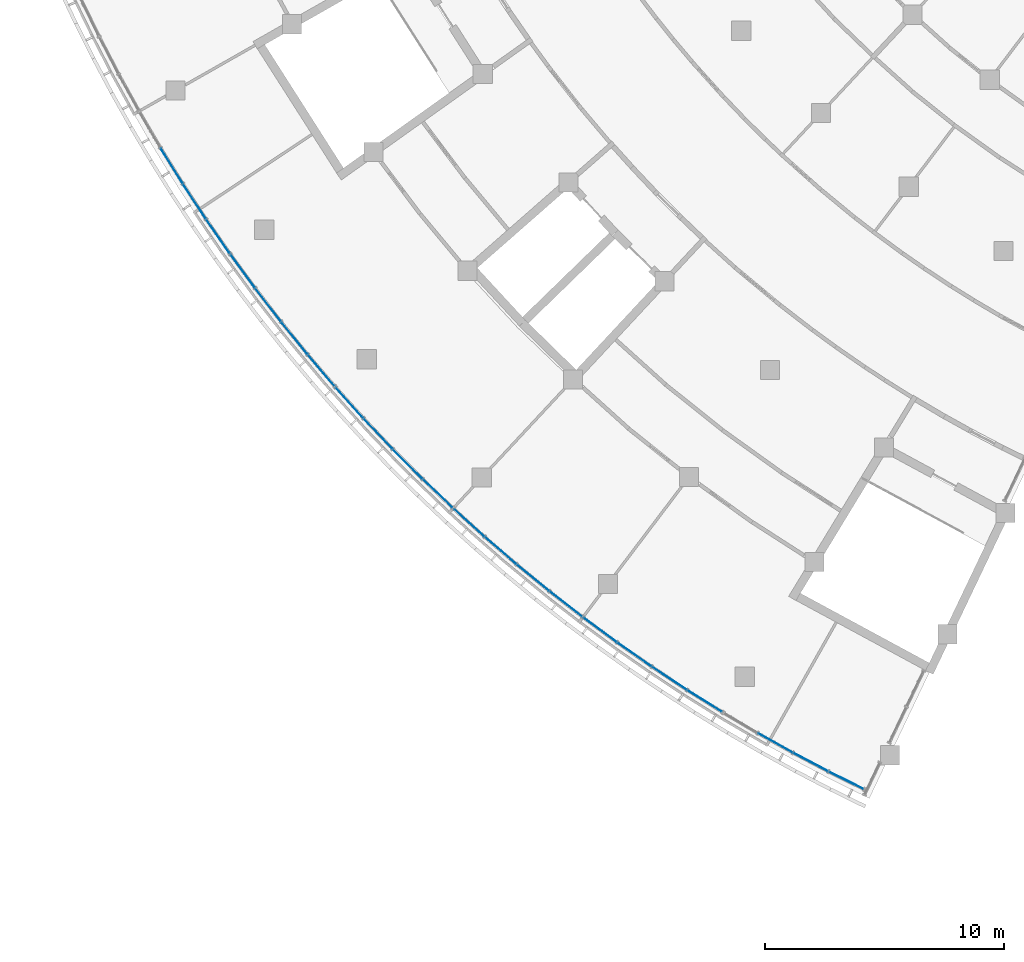
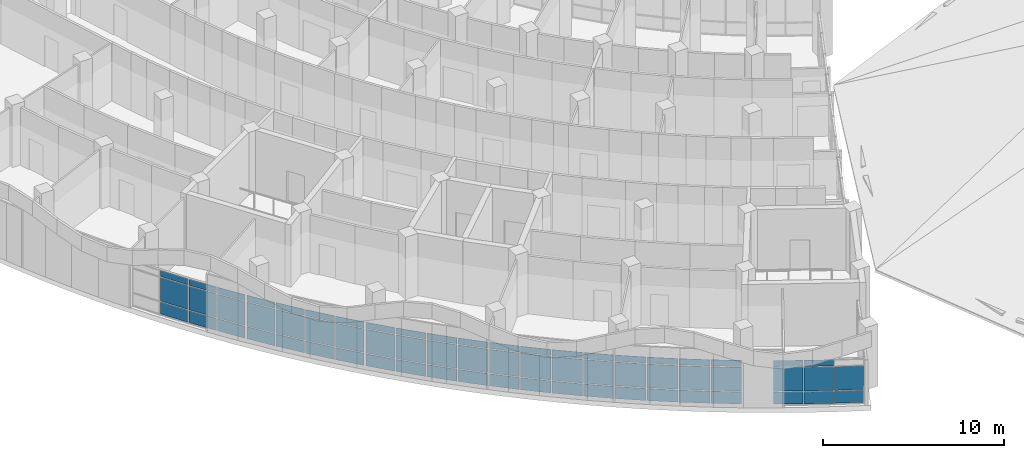
# One storey, part 47 of 137: 65 plates, 6 elements without a shape of their own.
"""IFC4 building model written with IfcOpenShell, lengths in metres."""

from ifc_helpers import new_model, si_unit, direction, frame, origin, origin_2d, place, context, subcontext, project, spatial, rectangle, extrude, material, layer, layer_set, type_object, element, aggregate, save


model = new_model("IFC4")

# Units and contexts
model_context = context("Model", 3, precision=1e-05, world=origin(), true_north=direction((0.0, 1.0)))
body_context = subcontext(model_context, "Body", "Model", "MODEL_VIEW")
ifc_project = project(units=[si_unit("LENGTHUNIT", "METRE"), si_unit("AREAUNIT", "SQUARE_METRE"), si_unit("VOLUMEUNIT", "CUBIC_METRE"), si_unit("PLANEANGLEUNIT", "RADIAN"), si_unit("MASSUNIT", "GRAM", prefix="KILO")], contexts=[model_context])

# Site, building, storey
site_placement = place(None, origin())
site = spatial("IfcSite", under=ifc_project, at=site_placement, CompositionType="ELEMENT")
building_placement = place(site_placement, origin())
building = spatial("IfcBuilding", under=site, at=building_placement, Name="Bougainvillea Quay General Hospital", CompositionType="ELEMENT")
storey_placement = place(building_placement, frame((0.0, 0.0, 16.800048828125)))
storey = spatial("IfcBuildingStorey", under=building, at=storey_placement, Name="L03", CompositionType="ELEMENT", Elevation=16.800048828125)

# Curtain wall, plates
ifc_material_1 = material(Name="Aluminium curtain wall system, powder-coated glazed", Category="aluminium")
curtain_wall_type = type_object("IfcCurtainWallType", Name="Unitised curtain wall CW-2100", PredefinedType="NOTDEFINED", material=ifc_material_1)
curtain_wall_1_placement = place(storey_placement, origin())
curtain_wall_1 = element("IfcCurtainWall", 1, at=curtain_wall_1_placement, inside=storey, type_object=curtain_wall_type, Name="CW-W01 a01b0", PredefinedType="NOTDEFINED")
ifc_material_2 = material(Name="Insulated aluminium spandrel panel, white", Category="aluminium")
ifc_layer_1 = layer(ifc_material_2, 0.028076171875)
ifc_layer_set_1 = layer_set([ifc_layer_1], Name="Insulated aluminium spandrel panel, white")
plate_type_1 = type_object("IfcPlateType", Name="Insulated spandrel panel white 28", PredefinedType="CURTAIN_PANEL", material=ifc_layer_set_1)
plate_1_placement = place(storey_placement, frame((78.09912109375, 63.573486328125, 0.059814453125), z_axis=(0.0, 0.0, 1.0), x_axis=(-0.895166761772, 0.445731386172, 0.0)))
plate_1 = element("IfcPlate", 2, at=plate_1_placement, type_object=plate_type_1, Name="CW-W01 spandrel panel 1.1", PredefinedType="CURTAIN_PANEL", context=body_context, shape_type="SweptSolid", body=[
    extrude(rectangle(XDim=1.593994140625, YDim=0.028076171875, at=origin_2d()), origin(), (0.0, 0.0, 1.0), 0.81005859375),
])
plate_2_placement = place(storey_placement, frame((76.6142578125, 64.33544921875, 0.059814453125), z_axis=(0.0, 0.0, 1.0), x_axis=(-0.88414485514, 0.467212879884, 0.0)))
plate_2 = element("IfcPlate", 3, at=plate_2_placement, type_object=plate_type_1, Name="CW-W01 spandrel panel 2.1", PredefinedType="CURTAIN_PANEL", context=body_context, shape_type="SweptSolid", body=[
    extrude(rectangle(XDim=1.6240234375, YDim=0.028076171875, at=origin_2d()), origin(), (0.0, 0.0, 1.0), 0.81005859375),
])
plate_3_placement = place(storey_placement, frame((76.6142578125, 64.33544921875, 2.580078125), z_axis=(0.0, 0.0, 1.0), x_axis=(-0.88414485514, 0.467212879884, 0.0)))
plate_3 = element("IfcPlate", 4, at=plate_3_placement, type_object=plate_type_1, Name="CW-W01 spandrel panel 2.3", PredefinedType="CURTAIN_PANEL", context=body_context, shape_type="SweptSolid", body=[
    extrude(rectangle(XDim=1.6240234375, YDim=0.028076171875, at=origin_2d()), origin(), (0.0, 0.0, 1.0), 0.409912109375),
])
plate_4_placement = place(storey_placement, frame((75.135009765625, 65.14013671875, 0.059814453125), z_axis=(0.0, 0.0, 1.0), x_axis=(-0.872607547761, 0.488422017922, 0.0)))
plate_4 = element("IfcPlate", 5, at=plate_4_placement, type_object=plate_type_1, Name="CW-W01 spandrel panel 3.1", PredefinedType="CURTAIN_PANEL", context=body_context, shape_type="SweptSolid", body=[
    extrude(rectangle(XDim=1.6240234375, YDim=0.028076171875, at=origin_2d()), origin(), (0.0, 0.0, 1.0), 0.81005859375),
])
plate_5_placement = place(storey_placement, frame((75.135009765625, 65.14013671875, 2.580078125), z_axis=(0.0, 0.0, 1.0), x_axis=(-0.872607547761, 0.488422017922, 0.0)))
plate_5 = element("IfcPlate", 6, at=plate_5_placement, type_object=plate_type_1, Name="CW-W01 spandrel panel 3.3", PredefinedType="CURTAIN_PANEL", context=body_context, shape_type="SweptSolid", body=[
    extrude(rectangle(XDim=1.6240234375, YDim=0.028076171875, at=origin_2d()), origin(), (0.0, 0.0, 1.0), 0.409912109375),
])

curtain_wall_2_placement = place(storey_placement, origin())
curtain_wall_2 = element("IfcCurtainWall", 7, at=curtain_wall_2_placement, inside=storey, type_object=curtain_wall_type, Name="CW-W02 a01b1", PredefinedType="NOTDEFINED")
plate_6_placement = place(storey_placement, frame((72.188720703125, 66.88623046875, 0.059814453125), z_axis=(0.0, 0.0, 1.0), x_axis=(-0.847691824545, 0.530488991968, 0.0)))
plate_6 = element("IfcPlate", 8, at=plate_6_placement, type_object=plate_type_1, Name="CW-W02 spandrel panel 1.1", PredefinedType="CURTAIN_PANEL", context=body_context, shape_type="SweptSolid", body=[
    extrude(rectangle(XDim=1.6787109375, YDim=0.028076171875, at=origin_2d()), origin(), (0.0, 0.0, 1.0), 0.81005859375),
])
plate_7_placement = place(storey_placement, frame((72.188720703125, 66.88623046875, 2.580078125), z_axis=(0.0, 0.0, 1.0), x_axis=(-0.847691824545, 0.530488991968, 0.0)))
plate_7 = element("IfcPlate", 9, at=plate_7_placement, type_object=plate_type_1, Name="CW-W02 spandrel panel 1.3", PredefinedType="CURTAIN_PANEL", context=body_context, shape_type="SweptSolid", body=[
    extrude(rectangle(XDim=1.6787109375, YDim=0.028076171875, at=origin_2d()), origin(), (0.0, 0.0, 1.0), 0.409912109375),
])
plate_8_placement = place(storey_placement, frame((70.714111328125, 67.83544921875, 0.059814453125), z_axis=(0.0, 0.0, 1.0), x_axis=(-0.833967694391, 0.551813269787, 0.0)))
plate_8 = element("IfcPlate", 10, at=plate_8_placement, type_object=plate_type_1, Name="CW-W02 spandrel panel 2.1", PredefinedType="CURTAIN_PANEL", context=body_context, shape_type="SweptSolid", body=[
    extrude(rectangle(XDim=1.708740234375, YDim=0.028076171875, at=origin_2d()), origin(), (0.0, 0.0, 1.0), 0.81005859375),
])
plate_9_placement = place(storey_placement, frame((70.714111328125, 67.83544921875, 2.580078125), z_axis=(0.0, 0.0, 1.0), x_axis=(-0.833967694391, 0.551813269787, 0.0)))
plate_9 = element("IfcPlate", 11, at=plate_9_placement, type_object=plate_type_1, Name="CW-W02 spandrel panel 2.3", PredefinedType="CURTAIN_PANEL", context=body_context, shape_type="SweptSolid", body=[
    extrude(rectangle(XDim=1.708740234375, YDim=0.028076171875, at=origin_2d()), origin(), (0.0, 0.0, 1.0), 0.409912109375),
])
plate_10_placement = place(storey_placement, frame((69.251708984375, 68.830078125, 0.059814453125), z_axis=(0.0, 0.0, 1.0), x_axis=(-0.819707259149, 0.572782689419, 0.0)))
plate_10 = element("IfcPlate", 12, at=plate_10_placement, type_object=plate_type_1, Name="CW-W02 spandrel panel 3.1", PredefinedType="CURTAIN_PANEL", context=body_context, shape_type="SweptSolid", body=[
    extrude(rectangle(XDim=1.708740234375, YDim=0.028076171875, at=origin_2d()), origin(), (0.0, 0.0, 1.0), 0.81005859375),
])
plate_11_placement = place(storey_placement, frame((69.251708984375, 68.830078125, 2.580078125), z_axis=(0.0, 0.0, 1.0), x_axis=(-0.819707259149, 0.572782689419, 0.0)))
plate_11 = element("IfcPlate", 13, at=plate_11_placement, type_object=plate_type_1, Name="CW-W02 spandrel panel 3.3", PredefinedType="CURTAIN_PANEL", context=body_context, shape_type="SweptSolid", body=[
    extrude(rectangle(XDim=1.708740234375, YDim=0.028076171875, at=origin_2d()), origin(), (0.0, 0.0, 1.0), 0.409912109375),
])
plate_12_placement = place(storey_placement, frame((67.826904296875, 69.8525390625, 0.059814453125), z_axis=(0.0, 0.0, 1.0), x_axis=(-0.804919689373, 0.593383765922, 0.0)))
plate_12 = element("IfcPlate", 14, at=plate_12_placement, type_object=plate_type_1, Name="CW-W02 spandrel panel 4.1", PredefinedType="CURTAIN_PANEL", context=body_context, shape_type="SweptSolid", body=[
    extrude(rectangle(XDim=1.6787109375, YDim=0.028076171875, at=origin_2d()), origin(), (0.0, 0.0, 1.0), 0.81005859375),
])
plate_13_placement = place(storey_placement, frame((67.826904296875, 69.8525390625, 2.580078125), z_axis=(0.0, 0.0, 1.0), x_axis=(-0.804919689373, 0.593383765922, 0.0)))
plate_13 = element("IfcPlate", 15, at=plate_13_placement, type_object=plate_type_1, Name="CW-W02 spandrel panel 4.3", PredefinedType="CURTAIN_PANEL", context=body_context, shape_type="SweptSolid", body=[
    extrude(rectangle(XDim=1.6787109375, YDim=0.028076171875, at=origin_2d()), origin(), (0.0, 0.0, 1.0), 0.409912109375),
])

curtain_wall_3_placement = place(storey_placement, origin())
curtain_wall_3 = element("IfcCurtainWall", 16, at=curtain_wall_3_placement, inside=storey, type_object=curtain_wall_type, Name="CW-W03 a01b2", PredefinedType="NOTDEFINED")
plate_14_placement = place(storey_placement, frame((66.392822265625, 70.93798828125, 0.059814453125), z_axis=(0.0, 0.0, 1.0), x_axis=(-0.789614494602, 0.613603251226, 0.0)))
plate_14 = element("IfcPlate", 17, at=plate_14_placement, type_object=plate_type_1, Name="CW-W03 spandrel panel 1.1", PredefinedType="CURTAIN_PANEL", context=body_context, shape_type="SweptSolid", body=[
    extrude(rectangle(XDim=1.6787109375, YDim=0.028076171875, at=origin_2d()), origin(), (0.0, 0.0, 1.0), 0.81005859375),
])
plate_15_placement = place(storey_placement, frame((66.392822265625, 70.93798828125, 2.580078125), z_axis=(0.0, 0.0, 1.0), x_axis=(-0.789614494602, 0.613603251226, 0.0)))
plate_15 = element("IfcPlate", 18, at=plate_15_placement, type_object=plate_type_1, Name="CW-W03 spandrel panel 1.3", PredefinedType="CURTAIN_PANEL", context=body_context, shape_type="SweptSolid", body=[
    extrude(rectangle(XDim=1.6787109375, YDim=0.028076171875, at=origin_2d()), origin(), (0.0, 0.0, 1.0), 0.409912109375),
])
plate_16_placement = place(storey_placement, frame((65.02197265625, 72.03173828125, 0.059814453125), z_axis=(0.0, 0.0, 1.0), x_axis=(-0.773801517247, 0.633428142654, 0.0)))
plate_16 = element("IfcPlate", 19, at=plate_16_placement, type_object=plate_type_1, Name="CW-W03 spandrel panel 2.1", PredefinedType="CURTAIN_PANEL", context=body_context, shape_type="SweptSolid", body=[
    extrude(rectangle(XDim=1.708740234375, YDim=0.028076171875, at=origin_2d()), origin(), (0.0, 0.0, 1.0), 0.81005859375),
])
plate_17_placement = place(storey_placement, frame((65.02197265625, 72.03173828125, 2.580078125), z_axis=(0.0, 0.0, 1.0), x_axis=(-0.773801517247, 0.633428142654, 0.0)))
plate_17 = element("IfcPlate", 20, at=plate_17_placement, type_object=plate_type_1, Name="CW-W03 spandrel panel 2.3", PredefinedType="CURTAIN_PANEL", context=body_context, shape_type="SweptSolid", body=[
    extrude(rectangle(XDim=1.708740234375, YDim=0.028076171875, at=origin_2d()), origin(), (0.0, 0.0, 1.0), 0.409912109375),
])
plate_18_placement = place(storey_placement, frame((63.667724609375, 73.169189453125, 0.059814453125), z_axis=(0.0, 0.0, 1.0), x_axis=(-0.757490926264, 0.652845691283, 0.0)))
plate_18 = element("IfcPlate", 21, at=plate_18_placement, type_object=plate_type_1, Name="CW-W03 spandrel panel 3.1", PredefinedType="CURTAIN_PANEL", context=body_context, shape_type="SweptSolid", body=[
    extrude(rectangle(XDim=1.708740234375, YDim=0.028076171875, at=origin_2d()), origin(), (0.0, 0.0, 1.0), 0.81005859375),
])
plate_19_placement = place(storey_placement, frame((63.667724609375, 73.169189453125, 2.580078125), z_axis=(0.0, 0.0, 1.0), x_axis=(-0.757490926264, 0.652845691283, 0.0)))
plate_19 = element("IfcPlate", 22, at=plate_19_placement, type_object=plate_type_1, Name="CW-W03 spandrel panel 3.3", PredefinedType="CURTAIN_PANEL", context=body_context, shape_type="SweptSolid", body=[
    extrude(rectangle(XDim=1.708740234375, YDim=0.028076171875, at=origin_2d()), origin(), (0.0, 0.0, 1.0), 0.409912109375),
])
plate_20_placement = place(storey_placement, frame((62.353759765625, 74.330810546875, 0.059814453125), z_axis=(0.0, 0.0, 1.0), x_axis=(-0.740693210613, 0.671843410143, 0.0)))
plate_20 = element("IfcPlate", 23, at=plate_20_placement, type_object=plate_type_1, Name="CW-W03 spandrel panel 4.1", PredefinedType="CURTAIN_PANEL", context=body_context, shape_type="SweptSolid", body=[
    extrude(rectangle(XDim=1.6787109375, YDim=0.028076171875, at=origin_2d()), origin(), (0.0, 0.0, 1.0), 0.81005859375),
])
plate_21_placement = place(storey_placement, frame((62.353759765625, 74.330810546875, 2.580078125), z_axis=(0.0, 0.0, 1.0), x_axis=(-0.740693210613, 0.671843410143, 0.0)))
plate_21 = element("IfcPlate", 24, at=plate_21_placement, type_object=plate_type_1, Name="CW-W03 spandrel panel 4.3", PredefinedType="CURTAIN_PANEL", context=body_context, shape_type="SweptSolid", body=[
    extrude(rectangle(XDim=1.6787109375, YDim=0.028076171875, at=origin_2d()), origin(), (0.0, 0.0, 1.0), 0.409912109375),
])

curtain_wall_4_placement = place(storey_placement, origin())
curtain_wall_4 = element("IfcCurtainWall", 25, at=curtain_wall_4_placement, inside=storey, type_object=curtain_wall_type, Name="CW-W04 a01b3", PredefinedType="NOTDEFINED")
plate_22_placement = place(storey_placement, frame((61.037109375, 75.555908203125, 0.059814453125), z_axis=(0.0, 0.0, 1.0), x_axis=(-0.72341917251, 0.690409082244, 0.0)))
plate_22 = element("IfcPlate", 26, at=plate_22_placement, type_object=plate_type_1, Name="CW-W04 spandrel panel 1.1", PredefinedType="CURTAIN_PANEL", context=body_context, shape_type="SweptSolid", body=[
    extrude(rectangle(XDim=1.6787109375, YDim=0.028076171875, at=origin_2d()), origin(), (0.0, 0.0, 1.0), 0.81005859375),
])
plate_23_placement = place(storey_placement, frame((61.037109375, 75.555908203125, 2.580078125), z_axis=(0.0, 0.0, 1.0), x_axis=(-0.72341917251, 0.690409082244, 0.0)))
plate_23 = element("IfcPlate", 27, at=plate_23_placement, type_object=plate_type_1, Name="CW-W04 spandrel panel 1.3", PredefinedType="CURTAIN_PANEL", context=body_context, shape_type="SweptSolid", body=[
    extrude(rectangle(XDim=1.6787109375, YDim=0.028076171875, at=origin_2d()), origin(), (0.0, 0.0, 1.0), 0.409912109375),
])
plate_24_placement = place(storey_placement, frame((59.783935546875, 76.78271484375, 0.059814453125), z_axis=(0.0, 0.0, 1.0), x_axis=(-0.705679920485, 0.708530768439, 0.0)))
plate_24 = element("IfcPlate", 28, at=plate_24_placement, type_object=plate_type_1, Name="CW-W04 spandrel panel 2.1", PredefinedType="CURTAIN_PANEL", context=body_context, shape_type="SweptSolid", body=[
    extrude(rectangle(XDim=1.708740234375, YDim=0.028076171875, at=origin_2d()), origin(), (0.0, 0.0, 1.0), 0.81005859375),
])
plate_25_placement = place(storey_placement, frame((59.783935546875, 76.78271484375, 2.580078125), z_axis=(0.0, 0.0, 1.0), x_axis=(-0.705679920485, 0.708530768439, 0.0)))
plate_25 = element("IfcPlate", 29, at=plate_25_placement, type_object=plate_type_1, Name="CW-W04 spandrel panel 2.3", PredefinedType="CURTAIN_PANEL", context=body_context, shape_type="SweptSolid", body=[
    extrude(rectangle(XDim=1.708740234375, YDim=0.028076171875, at=origin_2d()), origin(), (0.0, 0.0, 1.0), 0.409912109375),
])
plate_26_placement = place(storey_placement, frame((58.5517578125, 78.0517578125, 0.059814453125), z_axis=(0.0, 0.0, 1.0), x_axis=(-0.687486862234, 0.726196815096, 0.0)))
plate_26 = element("IfcPlate", 30, at=plate_26_placement, type_object=plate_type_1, Name="CW-W04 spandrel panel 3.1", PredefinedType="CURTAIN_PANEL", context=body_context, shape_type="SweptSolid", body=[
    extrude(rectangle(XDim=1.708740234375, YDim=0.028076171875, at=origin_2d()), origin(), (0.0, 0.0, 1.0), 0.81005859375),
])
plate_27_placement = place(storey_placement, frame((58.5517578125, 78.0517578125, 2.580078125), z_axis=(0.0, 0.0, 1.0), x_axis=(-0.687486862234, 0.726196815096, 0.0)))
plate_27 = element("IfcPlate", 31, at=plate_27_placement, type_object=plate_type_1, Name="CW-W04 spandrel panel 3.3", PredefinedType="CURTAIN_PANEL", context=body_context, shape_type="SweptSolid", body=[
    extrude(rectangle(XDim=1.708740234375, YDim=0.028076171875, at=origin_2d()), origin(), (0.0, 0.0, 1.0), 0.409912109375),
])
plate_28_placement = place(storey_placement, frame((57.3623046875, 79.340087890625, 0.059814453125), z_axis=(0.0, 0.0, 1.0), x_axis=(-0.668851697289, 0.743395861593, 0.0)))
plate_28 = element("IfcPlate", 32, at=plate_28_placement, type_object=plate_type_1, Name="CW-W04 spandrel panel 4.1", PredefinedType="CURTAIN_PANEL", context=body_context, shape_type="SweptSolid", body=[
    extrude(rectangle(XDim=1.6787109375, YDim=0.028076171875, at=origin_2d()), origin(), (0.0, 0.0, 1.0), 0.81005859375),
])
plate_29_placement = place(storey_placement, frame((57.3623046875, 79.340087890625, 2.580078125), z_axis=(0.0, 0.0, 1.0), x_axis=(-0.668851697289, 0.743395861593, 0.0)))
plate_29 = element("IfcPlate", 33, at=plate_29_placement, type_object=plate_type_1, Name="CW-W04 spandrel panel 4.3", PredefinedType="CURTAIN_PANEL", context=body_context, shape_type="SweptSolid", body=[
    extrude(rectangle(XDim=1.6787109375, YDim=0.028076171875, at=origin_2d()), origin(), (0.0, 0.0, 1.0), 0.409912109375),
])

curtain_wall_5_placement = place(storey_placement, origin())
curtain_wall_5 = element("IfcCurtainWall", 34, at=curtain_wall_5_placement, inside=storey, type_object=curtain_wall_type, Name="CW-W05 a01b4", PredefinedType="NOTDEFINED")
plate_30_placement = place(storey_placement, frame((56.17626953125, 80.6923828125, 0.059814453125), z_axis=(0.0, 0.0, 1.0), x_axis=(-0.649786409486, 0.760116847627, 0.0)))
plate_30 = element("IfcPlate", 35, at=plate_30_placement, type_object=plate_type_1, Name="CW-W05 spandrel panel 1.1", PredefinedType="CURTAIN_PANEL", context=body_context, shape_type="SweptSolid", body=[
    extrude(rectangle(XDim=1.6787109375, YDim=0.028076171875, at=origin_2d()), origin(), (0.0, 0.0, 1.0), 0.81005859375),
])
plate_31_placement = place(storey_placement, frame((56.17626953125, 80.6923828125, 2.580078125), z_axis=(0.0, 0.0, 1.0), x_axis=(-0.649786409486, 0.760116847627, 0.0)))
plate_31 = element("IfcPlate", 36, at=plate_31_placement, type_object=plate_type_1, Name="CW-W05 spandrel panel 1.3", PredefinedType="CURTAIN_PANEL", context=body_context, shape_type="SweptSolid", body=[
    extrude(rectangle(XDim=1.6787109375, YDim=0.028076171875, at=origin_2d()), origin(), (0.0, 0.0, 1.0), 0.409912109375),
])
plate_32_placement = place(storey_placement, frame((55.053955078125, 82.039794921875, 0.059814453125), z_axis=(0.0, 0.0, 1.0), x_axis=(-0.630303259266, 0.776349020324, 0.0)))
plate_32 = element("IfcPlate", 37, at=plate_32_placement, type_object=plate_type_1, Name="CW-W05 spandrel panel 2.1", PredefinedType="CURTAIN_PANEL", context=body_context, shape_type="SweptSolid", body=[
    extrude(rectangle(XDim=1.708740234375, YDim=0.028076171875, at=origin_2d()), origin(), (0.0, 0.0, 1.0), 0.81005859375),
])
plate_33_placement = place(storey_placement, frame((55.053955078125, 82.039794921875, 2.580078125), z_axis=(0.0, 0.0, 1.0), x_axis=(-0.630303259266, 0.776349020324, 0.0)))
plate_33 = element("IfcPlate", 38, at=plate_33_placement, type_object=plate_type_1, Name="CW-W05 spandrel panel 2.3", PredefinedType="CURTAIN_PANEL", context=body_context, shape_type="SweptSolid", body=[
    extrude(rectangle(XDim=1.708740234375, YDim=0.028076171875, at=origin_2d()), origin(), (0.0, 0.0, 1.0), 0.409912109375),
])
plate_34_placement = place(storey_placement, frame((53.956787109375, 83.427001953125, 0.059814453125), z_axis=(0.0, 0.0, 1.0), x_axis=(-0.610414775786, 0.792081941154, 0.0)))
plate_34 = element("IfcPlate", 39, at=plate_34_placement, type_object=plate_type_1, Name="CW-W05 spandrel panel 3.1", PredefinedType="CURTAIN_PANEL", context=body_context, shape_type="SweptSolid", body=[
    extrude(rectangle(XDim=1.708740234375, YDim=0.028076171875, at=origin_2d()), origin(), (0.0, 0.0, 1.0), 0.81005859375),
])
plate_35_placement = place(storey_placement, frame((53.956787109375, 83.427001953125, 2.580078125), z_axis=(0.0, 0.0, 1.0), x_axis=(-0.610414775786, 0.792081941154, 0.0)))
plate_35 = element("IfcPlate", 40, at=plate_35_placement, type_object=plate_type_1, Name="CW-W05 spandrel panel 3.3", PredefinedType="CURTAIN_PANEL", context=body_context, shape_type="SweptSolid", body=[
    extrude(rectangle(XDim=1.708740234375, YDim=0.028076171875, at=origin_2d()), origin(), (0.0, 0.0, 1.0), 0.409912109375),
])
plate_36_placement = place(storey_placement, frame((52.90380859375, 84.829345703125, 0.059814453125), z_axis=(0.0, 0.0, 1.0), x_axis=(-0.590133748864, 0.807305492643, 0.0)))
plate_36 = element("IfcPlate", 41, at=plate_36_placement, type_object=plate_type_1, Name="CW-W05 spandrel panel 4.1", PredefinedType="CURTAIN_PANEL", context=body_context, shape_type="SweptSolid", body=[
    extrude(rectangle(XDim=1.6787109375, YDim=0.028076171875, at=origin_2d()), origin(), (0.0, 0.0, 1.0), 0.81005859375),
])
plate_37_placement = place(storey_placement, frame((52.90380859375, 84.829345703125, 2.580078125), z_axis=(0.0, 0.0, 1.0), x_axis=(-0.590133748864, 0.807305492643, 0.0)))
plate_37 = element("IfcPlate", 42, at=plate_37_placement, type_object=plate_type_1, Name="CW-W05 spandrel panel 4.3", PredefinedType="CURTAIN_PANEL", context=body_context, shape_type="SweptSolid", body=[
    extrude(rectangle(XDim=1.6787109375, YDim=0.028076171875, at=origin_2d()), origin(), (0.0, 0.0, 1.0), 0.409912109375),
])

curtain_wall_6_placement = place(storey_placement, origin())
curtain_wall_6 = element("IfcCurtainWall", 43, at=curtain_wall_6_placement, inside=storey, type_object=curtain_wall_type, Name="CW-W06 a01b5", PredefinedType="NOTDEFINED")
plate_38_placement = place(storey_placement, frame((51.86083984375, 86.294677734375, 0.059814453125), z_axis=(0.0, 0.0, 1.0), x_axis=(-0.569473220753, 0.822009884883, 0.0)))
plate_38 = element("IfcPlate", 44, at=plate_38_placement, type_object=plate_type_1, Name="CW-W06 spandrel panel 1.1", PredefinedType="CURTAIN_PANEL", context=body_context, shape_type="SweptSolid", body=[
    extrude(rectangle(XDim=1.6787109375, YDim=0.028076171875, at=origin_2d()), origin(), (0.0, 0.0, 1.0), 0.81005859375),
])
plate_39_placement = place(storey_placement, frame((51.86083984375, 86.294677734375, 2.580078125), z_axis=(0.0, 0.0, 1.0), x_axis=(-0.569473220753, 0.822009884883, 0.0)))
plate_39 = element("IfcPlate", 45, at=plate_39_placement, type_object=plate_type_1, Name="CW-W06 spandrel panel 1.3", PredefinedType="CURTAIN_PANEL", context=body_context, shape_type="SweptSolid", body=[
    extrude(rectangle(XDim=1.6787109375, YDim=0.028076171875, at=origin_2d()), origin(), (0.0, 0.0, 1.0), 0.409912109375),
])
plate_40_placement = place(storey_placement, frame((50.880859375, 87.7490234375, 0.059814453125), z_axis=(0.0, 0.0, 1.0), x_axis=(-0.548446477755, 0.836185661823, 0.0)))
plate_40 = element("IfcPlate", 46, at=plate_40_placement, type_object=plate_type_1, Name="CW-W06 spandrel panel 2.1", PredefinedType="CURTAIN_PANEL", context=body_context, shape_type="SweptSolid", body=[
    extrude(rectangle(XDim=1.708740234375, YDim=0.028076171875, at=origin_2d()), origin(), (0.0, 0.0, 1.0), 0.81005859375),
])
plate_41_placement = place(storey_placement, frame((50.880859375, 87.7490234375, 2.580078125), z_axis=(0.0, 0.0, 1.0), x_axis=(-0.548446477755, 0.836185661823, 0.0)))
plate_41 = element("IfcPlate", 47, at=plate_41_placement, type_object=plate_type_1, Name="CW-W06 spandrel panel 2.3", PredefinedType="CURTAIN_PANEL", context=body_context, shape_type="SweptSolid", body=[
    extrude(rectangle(XDim=1.708740234375, YDim=0.028076171875, at=origin_2d()), origin(), (0.0, 0.0, 1.0), 0.409912109375),
])
plate_42_placement = place(storey_placement, frame((49.9296875, 89.239990234375, 0.059814453125), z_axis=(0.0, 0.0, 1.0), x_axis=(-0.527067041675, 0.849823707353, 0.0)))
plate_42 = element("IfcPlate", 48, at=plate_42_placement, type_object=plate_type_1, Name="CW-W06 spandrel panel 3.1", PredefinedType="CURTAIN_PANEL", context=body_context, shape_type="SweptSolid", body=[
    extrude(rectangle(XDim=1.708740234375, YDim=0.028076171875, at=origin_2d()), origin(), (0.0, 0.0, 1.0), 0.81005859375),
])
plate_43_placement = place(storey_placement, frame((49.9296875, 89.239990234375, 2.580078125), z_axis=(0.0, 0.0, 1.0), x_axis=(-0.527067041675, 0.849823707353, 0.0)))
plate_43 = element("IfcPlate", 49, at=plate_43_placement, type_object=plate_type_1, Name="CW-W06 spandrel panel 3.3", PredefinedType="CURTAIN_PANEL", context=body_context, shape_type="SweptSolid", body=[
    extrude(rectangle(XDim=1.708740234375, YDim=0.028076171875, at=origin_2d()), origin(), (0.0, 0.0, 1.0), 0.409912109375),
])

# Plate
ifc_material_3 = material(Name="Low-e laminated glass, solar control", Category="glass")
ifc_layer_2 = layer(ifc_material_3, 0.028076171875)
ifc_layer_set_2 = layer_set([ifc_layer_2], Name="Low-e laminated glass, solar control")
plate_type_2 = type_object("IfcPlateType", Name="Low-e laminated vision glass 28", PredefinedType="CURTAIN_PANEL", material=ifc_layer_set_2)
plate_44_placement = place(storey_placement, frame((78.09912109375, 63.573486328125, 0.9296875), z_axis=(0.0, 0.0, 1.0), x_axis=(-0.895166761772, 0.445731386172, 0.0)))
plate_44 = element("IfcPlate", 50, at=plate_44_placement, type_object=plate_type_2, Name="CW-W01 vision glass panel 1.2", PredefinedType="CURTAIN_PANEL", context=body_context, shape_type="SweptSolid", body=[
    extrude(rectangle(XDim=1.593994140625, YDim=0.028076171875, at=origin_2d()), origin(), (0.0, 0.0, 1.0), 1.590087890625),
])

plate_45_placement = place(storey_placement, frame((76.6142578125, 64.33544921875, 0.9296875), z_axis=(0.0, 0.0, 1.0), x_axis=(-0.88414485514, 0.467212879884, 0.0)))
plate_45 = element("IfcPlate", 51, at=plate_45_placement, type_object=plate_type_2, Name="CW-W01 vision glass panel 2.2", PredefinedType="CURTAIN_PANEL", context=body_context, shape_type="SweptSolid", body=[
    extrude(rectangle(XDim=1.6240234375, YDim=0.028076171875, at=origin_2d()), origin(), (0.0, 0.0, 1.0), 1.590087890625),
])

plate_46_placement = place(storey_placement, frame((75.135009765625, 65.14013671875, 0.9296875), z_axis=(0.0, 0.0, 1.0), x_axis=(-0.872607547761, 0.488422017922, 0.0)))
plate_46 = element("IfcPlate", 52, at=plate_46_placement, type_object=plate_type_2, Name="CW-W01 vision glass panel 3.2", PredefinedType="CURTAIN_PANEL", context=body_context, shape_type="SweptSolid", body=[
    extrude(rectangle(XDim=1.6240234375, YDim=0.028076171875, at=origin_2d()), origin(), (0.0, 0.0, 1.0), 1.590087890625),
])

aggregate(curtain_wall_1, [plate_1, plate_44, plate_2, plate_45, plate_3, plate_4, plate_46, plate_5])

plate_47_placement = place(storey_placement, frame((72.188720703125, 66.88623046875, 0.9296875), z_axis=(0.0, 0.0, 1.0), x_axis=(-0.847691824545, 0.530488991968, 0.0)))
plate_47 = element("IfcPlate", 53, at=plate_47_placement, type_object=plate_type_2, Name="CW-W02 vision glass panel 1.2", PredefinedType="CURTAIN_PANEL", context=body_context, shape_type="SweptSolid", body=[
    extrude(rectangle(XDim=1.6787109375, YDim=0.028076171875, at=origin_2d()), origin(), (0.0, 0.0, 1.0), 1.590087890625),
])

plate_48_placement = place(storey_placement, frame((70.714111328125, 67.83544921875, 0.9296875), z_axis=(0.0, 0.0, 1.0), x_axis=(-0.833967694391, 0.551813269787, 0.0)))
plate_48 = element("IfcPlate", 54, at=plate_48_placement, type_object=plate_type_2, Name="CW-W02 vision glass panel 2.2", PredefinedType="CURTAIN_PANEL", context=body_context, shape_type="SweptSolid", body=[
    extrude(rectangle(XDim=1.708740234375, YDim=0.028076171875, at=origin_2d()), origin(), (0.0, 0.0, 1.0), 1.590087890625),
])

plate_49_placement = place(storey_placement, frame((69.251708984375, 68.830078125, 0.9296875), z_axis=(0.0, 0.0, 1.0), x_axis=(-0.819707259149, 0.572782689419, 0.0)))
plate_49 = element("IfcPlate", 55, at=plate_49_placement, type_object=plate_type_2, Name="CW-W02 vision glass panel 3.2", PredefinedType="CURTAIN_PANEL", context=body_context, shape_type="SweptSolid", body=[
    extrude(rectangle(XDim=1.708740234375, YDim=0.028076171875, at=origin_2d()), origin(), (0.0, 0.0, 1.0), 1.590087890625),
])

plate_50_placement = place(storey_placement, frame((67.826904296875, 69.8525390625, 0.9296875), z_axis=(0.0, 0.0, 1.0), x_axis=(-0.804919689373, 0.593383765922, 0.0)))
plate_50 = element("IfcPlate", 56, at=plate_50_placement, type_object=plate_type_2, Name="CW-W02 vision glass panel 4.2", PredefinedType="CURTAIN_PANEL", context=body_context, shape_type="SweptSolid", body=[
    extrude(rectangle(XDim=1.6787109375, YDim=0.028076171875, at=origin_2d()), origin(), (0.0, 0.0, 1.0), 1.590087890625),
])

aggregate(curtain_wall_2, [plate_6, plate_47, plate_7, plate_8, plate_48, plate_9, plate_10, plate_49, plate_11, plate_12, plate_50, plate_13])

plate_51_placement = place(storey_placement, frame((66.392822265625, 70.93798828125, 0.9296875), z_axis=(0.0, 0.0, 1.0), x_axis=(-0.789614494602, 0.613603251226, 0.0)))
plate_51 = element("IfcPlate", 57, at=plate_51_placement, type_object=plate_type_2, Name="CW-W03 vision glass panel 1.2", PredefinedType="CURTAIN_PANEL", context=body_context, shape_type="SweptSolid", body=[
    extrude(rectangle(XDim=1.6787109375, YDim=0.028076171875, at=origin_2d()), origin(), (0.0, 0.0, 1.0), 1.590087890625),
])

plate_52_placement = place(storey_placement, frame((65.02197265625, 72.03173828125, 0.9296875), z_axis=(0.0, 0.0, 1.0), x_axis=(-0.773801517247, 0.633428142654, 0.0)))
plate_52 = element("IfcPlate", 58, at=plate_52_placement, type_object=plate_type_2, Name="CW-W03 vision glass panel 2.2", PredefinedType="CURTAIN_PANEL", context=body_context, shape_type="SweptSolid", body=[
    extrude(rectangle(XDim=1.708740234375, YDim=0.028076171875, at=origin_2d()), origin(), (0.0, 0.0, 1.0), 1.590087890625),
])

plate_53_placement = place(storey_placement, frame((63.667724609375, 73.169189453125, 0.9296875), z_axis=(0.0, 0.0, 1.0), x_axis=(-0.757490926264, 0.652845691283, 0.0)))
plate_53 = element("IfcPlate", 59, at=plate_53_placement, type_object=plate_type_2, Name="CW-W03 vision glass panel 3.2", PredefinedType="CURTAIN_PANEL", context=body_context, shape_type="SweptSolid", body=[
    extrude(rectangle(XDim=1.708740234375, YDim=0.028076171875, at=origin_2d()), origin(), (0.0, 0.0, 1.0), 1.590087890625),
])

plate_54_placement = place(storey_placement, frame((62.353759765625, 74.330810546875, 0.9296875), z_axis=(0.0, 0.0, 1.0), x_axis=(-0.740693210613, 0.671843410143, 0.0)))
plate_54 = element("IfcPlate", 60, at=plate_54_placement, type_object=plate_type_2, Name="CW-W03 vision glass panel 4.2", PredefinedType="CURTAIN_PANEL", context=body_context, shape_type="SweptSolid", body=[
    extrude(rectangle(XDim=1.6787109375, YDim=0.028076171875, at=origin_2d()), origin(), (0.0, 0.0, 1.0), 1.590087890625),
])

aggregate(curtain_wall_3, [plate_14, plate_51, plate_15, plate_16, plate_52, plate_17, plate_18, plate_53, plate_19, plate_20, plate_54, plate_21])

plate_55_placement = place(storey_placement, frame((61.037109375, 75.555908203125, 0.9296875), z_axis=(0.0, 0.0, 1.0), x_axis=(-0.72341917251, 0.690409082244, 0.0)))
plate_55 = element("IfcPlate", 61, at=plate_55_placement, type_object=plate_type_2, Name="CW-W04 vision glass panel 1.2", PredefinedType="CURTAIN_PANEL", context=body_context, shape_type="SweptSolid", body=[
    extrude(rectangle(XDim=1.6787109375, YDim=0.028076171875, at=origin_2d()), origin(), (0.0, 0.0, 1.0), 1.590087890625),
])

plate_56_placement = place(storey_placement, frame((59.783935546875, 76.78271484375, 0.9296875), z_axis=(0.0, 0.0, 1.0), x_axis=(-0.705679920485, 0.708530768439, 0.0)))
plate_56 = element("IfcPlate", 62, at=plate_56_placement, type_object=plate_type_2, Name="CW-W04 vision glass panel 2.2", PredefinedType="CURTAIN_PANEL", context=body_context, shape_type="SweptSolid", body=[
    extrude(rectangle(XDim=1.708740234375, YDim=0.028076171875, at=origin_2d()), origin(), (0.0, 0.0, 1.0), 1.590087890625),
])

plate_57_placement = place(storey_placement, frame((58.5517578125, 78.0517578125, 0.9296875), z_axis=(0.0, 0.0, 1.0), x_axis=(-0.687486862234, 0.726196815096, 0.0)))
plate_57 = element("IfcPlate", 63, at=plate_57_placement, type_object=plate_type_2, Name="CW-W04 vision glass panel 3.2", PredefinedType="CURTAIN_PANEL", context=body_context, shape_type="SweptSolid", body=[
    extrude(rectangle(XDim=1.708740234375, YDim=0.028076171875, at=origin_2d()), origin(), (0.0, 0.0, 1.0), 1.590087890625),
])

plate_58_placement = place(storey_placement, frame((57.3623046875, 79.340087890625, 0.9296875), z_axis=(0.0, 0.0, 1.0), x_axis=(-0.668851697289, 0.743395861593, 0.0)))
plate_58 = element("IfcPlate", 64, at=plate_58_placement, type_object=plate_type_2, Name="CW-W04 vision glass panel 4.2", PredefinedType="CURTAIN_PANEL", context=body_context, shape_type="SweptSolid", body=[
    extrude(rectangle(XDim=1.6787109375, YDim=0.028076171875, at=origin_2d()), origin(), (0.0, 0.0, 1.0), 1.590087890625),
])

aggregate(curtain_wall_4, [plate_22, plate_55, plate_23, plate_24, plate_56, plate_25, plate_26, plate_57, plate_27, plate_28, plate_58, plate_29])

plate_59_placement = place(storey_placement, frame((56.17626953125, 80.6923828125, 0.9296875), z_axis=(0.0, 0.0, 1.0), x_axis=(-0.649786409486, 0.760116847627, 0.0)))
plate_59 = element("IfcPlate", 65, at=plate_59_placement, type_object=plate_type_2, Name="CW-W05 vision glass panel 1.2", PredefinedType="CURTAIN_PANEL", context=body_context, shape_type="SweptSolid", body=[
    extrude(rectangle(XDim=1.6787109375, YDim=0.028076171875, at=origin_2d()), origin(), (0.0, 0.0, 1.0), 1.590087890625),
])

plate_60_placement = place(storey_placement, frame((55.053955078125, 82.039794921875, 0.9296875), z_axis=(0.0, 0.0, 1.0), x_axis=(-0.630303259266, 0.776349020324, 0.0)))
plate_60 = element("IfcPlate", 66, at=plate_60_placement, type_object=plate_type_2, Name="CW-W05 vision glass panel 2.2", PredefinedType="CURTAIN_PANEL", context=body_context, shape_type="SweptSolid", body=[
    extrude(rectangle(XDim=1.708740234375, YDim=0.028076171875, at=origin_2d()), origin(), (0.0, 0.0, 1.0), 1.590087890625),
])

plate_61_placement = place(storey_placement, frame((53.956787109375, 83.427001953125, 0.9296875), z_axis=(0.0, 0.0, 1.0), x_axis=(-0.610414775786, 0.792081941154, 0.0)))
plate_61 = element("IfcPlate", 67, at=plate_61_placement, type_object=plate_type_2, Name="CW-W05 vision glass panel 3.2", PredefinedType="CURTAIN_PANEL", context=body_context, shape_type="SweptSolid", body=[
    extrude(rectangle(XDim=1.708740234375, YDim=0.028076171875, at=origin_2d()), origin(), (0.0, 0.0, 1.0), 1.590087890625),
])

plate_62_placement = place(storey_placement, frame((52.90380859375, 84.829345703125, 0.9296875), z_axis=(0.0, 0.0, 1.0), x_axis=(-0.590133748864, 0.807305492643, 0.0)))
plate_62 = element("IfcPlate", 68, at=plate_62_placement, type_object=plate_type_2, Name="CW-W05 vision glass panel 4.2", PredefinedType="CURTAIN_PANEL", context=body_context, shape_type="SweptSolid", body=[
    extrude(rectangle(XDim=1.6787109375, YDim=0.028076171875, at=origin_2d()), origin(), (0.0, 0.0, 1.0), 1.590087890625),
])

aggregate(curtain_wall_5, [plate_30, plate_59, plate_31, plate_32, plate_60, plate_33, plate_34, plate_61, plate_35, plate_36, plate_62, plate_37])

plate_63_placement = place(storey_placement, frame((51.86083984375, 86.294677734375, 0.9296875), z_axis=(0.0, 0.0, 1.0), x_axis=(-0.569473220753, 0.822009884883, 0.0)))
plate_63 = element("IfcPlate", 69, at=plate_63_placement, type_object=plate_type_2, Name="CW-W06 vision glass panel 1.2", PredefinedType="CURTAIN_PANEL", context=body_context, shape_type="SweptSolid", body=[
    extrude(rectangle(XDim=1.6787109375, YDim=0.028076171875, at=origin_2d()), origin(), (0.0, 0.0, 1.0), 1.590087890625),
])

plate_64_placement = place(storey_placement, frame((50.880859375, 87.7490234375, 0.9296875), z_axis=(0.0, 0.0, 1.0), x_axis=(-0.548446477755, 0.836185661823, 0.0)))
plate_64 = element("IfcPlate", 70, at=plate_64_placement, type_object=plate_type_2, Name="CW-W06 vision glass panel 2.2", PredefinedType="CURTAIN_PANEL", context=body_context, shape_type="SweptSolid", body=[
    extrude(rectangle(XDim=1.708740234375, YDim=0.028076171875, at=origin_2d()), origin(), (0.0, 0.0, 1.0), 1.590087890625),
])

plate_65_placement = place(storey_placement, frame((49.9296875, 89.239990234375, 0.9296875), z_axis=(0.0, 0.0, 1.0), x_axis=(-0.527067041675, 0.849823707353, 0.0)))
plate_65 = element("IfcPlate", 71, at=plate_65_placement, type_object=plate_type_2, Name="CW-W06 vision glass panel 3.2", PredefinedType="CURTAIN_PANEL", context=body_context, shape_type="SweptSolid", body=[
    extrude(rectangle(XDim=1.708740234375, YDim=0.028076171875, at=origin_2d()), origin(), (0.0, 0.0, 1.0), 1.590087890625),
])

aggregate(curtain_wall_6, [plate_38, plate_63, plate_39, plate_40, plate_64, plate_41, plate_42, plate_65, plate_43])

save(model, "model.ifc")
